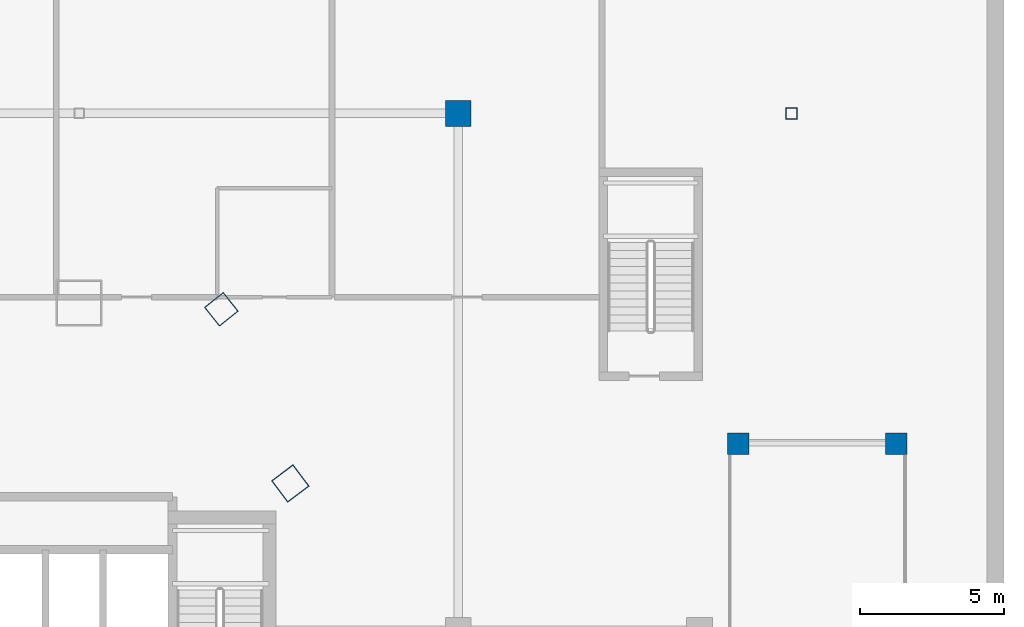
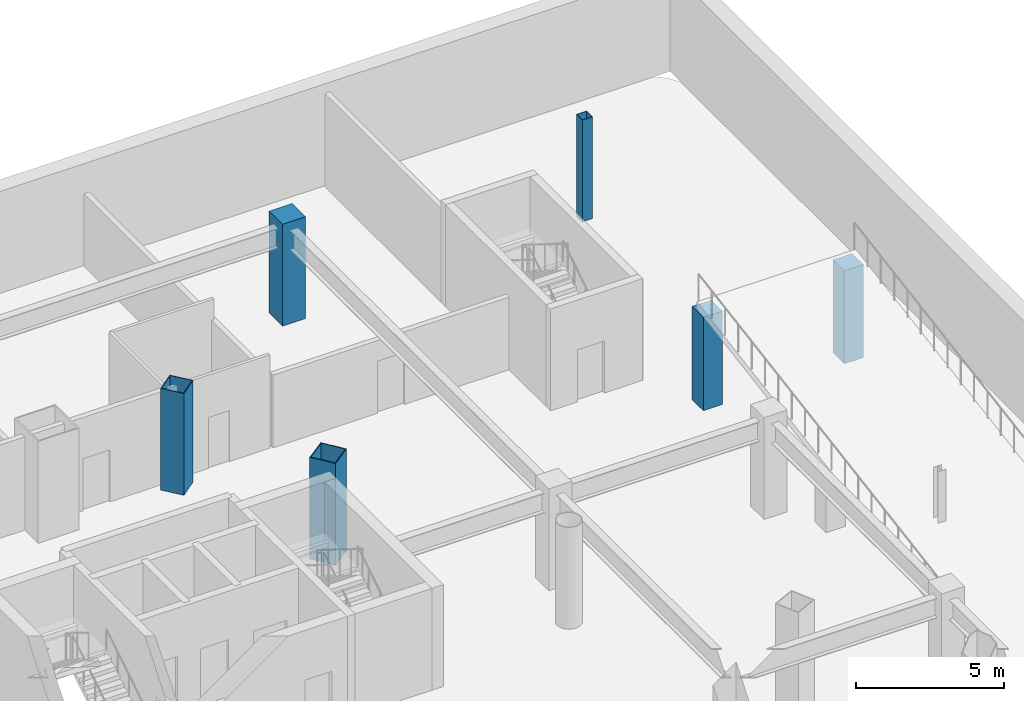
# One storey, part 4 of 10: 6 columns.
"""IFC4 building model written with IfcOpenShell, lengths in metres."""

from ifc_helpers import new_model, si_unit, direction, frame, origin, origin_2d, place, context, subcontext, project, spatial, rectangle, hollow_rectangle, extrude, material, material_profile, profile_set, type_object, element, save


model = new_model("IFC4")

# Units and contexts
model_context = context("Model", 3, precision=1e-05, world=origin(), true_north=direction((0.0, 1.0)))
body_context = subcontext(model_context, "Body", "Model", "MODEL_VIEW")
ifc_project = project(units=[si_unit("LENGTHUNIT", "METRE"), si_unit("AREAUNIT", "SQUARE_METRE"), si_unit("VOLUMEUNIT", "CUBIC_METRE"), si_unit("PLANEANGLEUNIT", "RADIAN"), si_unit("MASSUNIT", "GRAM", prefix="KILO")], contexts=[model_context])

# Site, building, storey
site_placement = place(None, origin())
site = spatial("IfcSite", under=ifc_project, at=site_placement, CompositionType="ELEMENT")
building_placement = place(site_placement, origin())
building = spatial("IfcBuilding", under=site, at=building_placement, Name="Orvanel Arch Residences", CompositionType="ELEMENT")
storey_placement = place(building_placement, frame((0.0, 0.0, -4.199951171875)))
storey = spatial("IfcBuildingStorey", under=building, at=storey_placement, Name="B01", CompositionType="ELEMENT", Elevation=-4.199951171875)

# Columns
ifc_material_1 = material(Name="Structural steel AS/NZS 1163 C450L0 (Grade 450)", Category="steel")
ifc_material_profile_1 = material_profile(ifc_material_1, hollow_rectangle(XDim=0.39990234375, YDim=0.39990234375, WallThickness=0.01611328125, at=origin_2d()), Name="SHS400x400x16")
ifc_profile_set_1 = profile_set([ifc_material_profile_1], Name="Structural steel AS/NZS 1163 C450L0 (Grade 450)")
column_type_1 = type_object("IfcColumnType", Name="OC-400SHS", PredefinedType="COLUMN", material=ifc_profile_set_1)
column_1_placement = place(storey_placement, frame((57.800048828125, 48.0, 0.0), z_axis=(0.0, 0.0, 1.0), x_axis=(1.0, 0.0, 0.0)))
element("IfcColumn", 1, at=column_1_placement, inside=storey, type_object=column_type_1, Name="B01 Auxiliary Podium Column 06", PredefinedType="COLUMN", context=body_context, shape_type="SweptSolid", body=[
    extrude(hollow_rectangle(XDim=0.39990234375, YDim=0.39990234375, WallThickness=0.01611328125, at=origin_2d()), origin(), (0.0, 0.0, 1.0), 4.199951171875),
])
ifc_material_2 = material(Name="Concrete S65 (65 MPa)", Category="concrete")
ifc_material_profile_2 = material_profile(ifc_material_2, rectangle(XDim=0.75, YDim=0.75, at=origin_2d()), Name="RC750x750")
ifc_profile_set_2 = profile_set([ifc_material_profile_2], Name="Concrete S65 (65 MPa)")
column_type_2 = type_object("IfcColumnType", Name="PC-750", PredefinedType="COLUMN", material=ifc_profile_set_2)
for number, where, z_axis, x_axis, name in (
    (2, (55.949951171875, 36.5, 0.0), (0.0, 0.0, 1.0), (1.0, 0.0, 0.0), "B01 East Ramp Support Pier"),
    (3, (61.449951171875, 36.5, 0.0), (0.0, 0.0, 1.0), (1.0, 0.0, 0.0), "B01 East Ramp Support Pier"),
):
    element("IfcColumn", number, at=place(storey_placement, frame(where, z_axis=z_axis, x_axis=x_axis)), inside=storey, type_object=column_type_2, Name=name, PredefinedType="COLUMN", context=body_context, shape_type="SweptSolid", body=[
        extrude(rectangle(XDim=0.75, YDim=0.75, at=origin_2d()), origin(), (0.0, 0.0, 1.0), 3.849853515625),
    ])
ifc_material_profile_3 = material_profile(ifc_material_2, rectangle(XDim=0.89990234375, YDim=0.89990234375, at=origin_2d()), Name="RC900x900")
ifc_profile_set_3 = profile_set([ifc_material_profile_3], Name="Concrete S65 (65 MPa)")
column_type_3 = type_object("IfcColumnType", Name="PC-900", PredefinedType="COLUMN", material=ifc_profile_set_3)
column_2_placement = place(storey_placement, frame((46.199951171875, 48.0, 0.0), z_axis=(0.0, 0.0, 1.0), x_axis=(1.0, 0.0, 0.0)))
element("IfcColumn", 4, at=column_2_placement, inside=storey, type_object=column_type_3, Name="B01 Podium Grid Column 11", PredefinedType="COLUMN", context=body_context, shape_type="SweptSolid", body=[
    extrude(rectangle(XDim=0.89990234375, YDim=0.89990234375, at=origin_2d()), origin(), (0.0, 0.0, 1.0), 4.199951171875),
])
ifc_material_3 = material(Name="Structural steel AS/NZS 3678 Grade 350", Category="steel")
ifc_material_profile_4 = material_profile(ifc_material_3, hollow_rectangle(XDim=0.85009765625, YDim=0.85009765625, WallThickness=0.028076171875, at=origin_2d()), Name="BOX850x850x28")
ifc_profile_set_4 = profile_set([ifc_material_profile_4], Name="Structural steel AS/NZS 3678 Grade 350")
column_type_4 = type_object("IfcColumnType", Name="TC-850", PredefinedType="COLUMN", material=ifc_profile_set_4)
column_3_placement = place(storey_placement, frame((37.949951171875, 41.177978515625, 0.0), z_axis=(0.0, 0.0, 1.0), x_axis=(-0.623879596709, 0.781520472419, 0.0)))
element("IfcColumn", 5, at=column_3_placement, inside=storey, type_object=column_type_4, Name="B01 Mid-Rise Buttress Tube Column 06", PredefinedType="COLUMN", context=body_context, shape_type="SweptSolid", body=[
    extrude(hollow_rectangle(XDim=0.85009765625, YDim=0.85009765625, WallThickness=0.028076171875, at=origin_2d()), origin(), (0.0, 0.0, 1.0), 4.199951171875),
])
ifc_material_profile_5 = material_profile(ifc_material_3, hollow_rectangle(XDim=0.949951171875, YDim=0.949951171875, WallThickness=0.031982421875, at=origin_2d()), Name="BOX950x950x32")
ifc_profile_set_5 = profile_set([ifc_material_profile_5], Name="Structural steel AS/NZS 3678 Grade 350")
column_type_5 = type_object("IfcColumnType", Name="TC-950", PredefinedType="COLUMN", material=ifc_profile_set_5)
column_4_placement = place(storey_placement, frame((40.35205078125, 35.113037109375, 0.0), z_axis=(0.0, 0.0, 1.0), x_axis=(-0.600420225326, 0.799684658487, 0.0)))
element("IfcColumn", 6, at=column_4_placement, inside=storey, type_object=column_type_5, Name="B01 High-Rise Tube Column 09", PredefinedType="COLUMN", context=body_context, shape_type="SweptSolid", body=[
    extrude(hollow_rectangle(XDim=0.949951171875, YDim=0.949951171875, WallThickness=0.031982421875, at=origin_2d()), origin(), (0.0, 0.0, 1.0), 4.199951171875),
])

save(model, "model.ifc")
